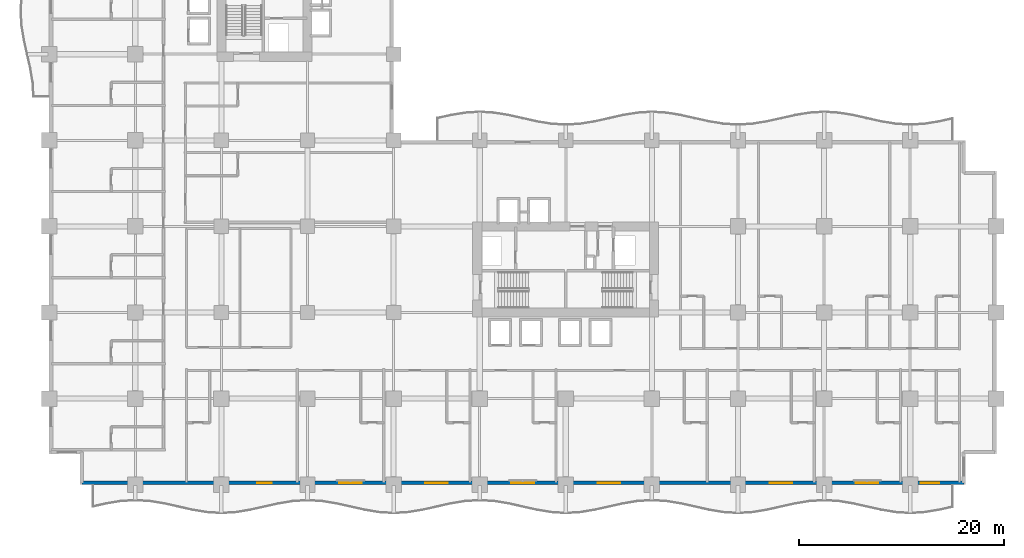
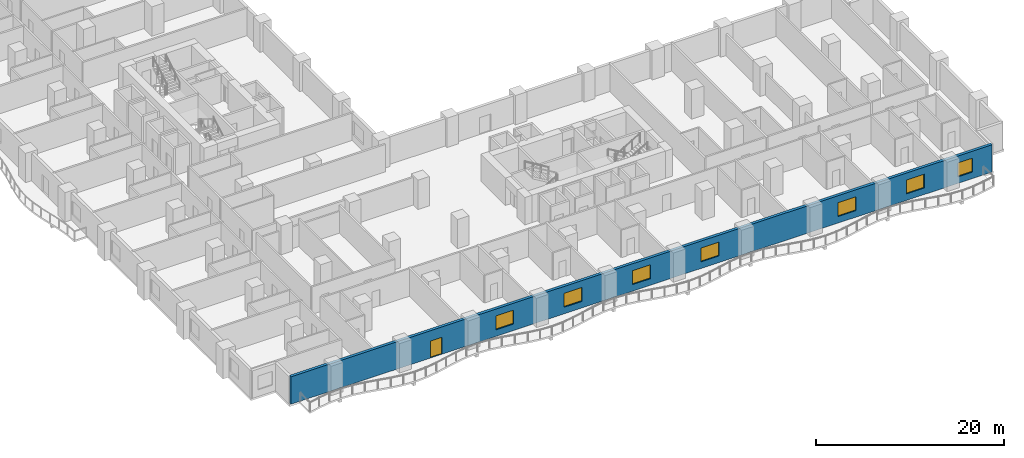
# One storey, part 8 of 23: 7 windows, 1 door, 1 wall, 8 openings.
"""IFC4 building model written with IfcOpenShell, lengths in metres."""

from ifc_helpers import new_model, si_unit, direction, frame, frame_2d, origin, place, context, subcontext, project, spatial, rectangle, extrude, material, layer, layer_set, type_object, element, fill, save


model = new_model("IFC4")

# Units and contexts
model_context = context("Model", 3, precision=1e-05, world=origin(), true_north=direction((0.0, 1.0)))
body_context = subcontext(model_context, "Body", "Model", "MODEL_VIEW")
ifc_project = project(units=[si_unit("LENGTHUNIT", "METRE"), si_unit("AREAUNIT", "SQUARE_METRE"), si_unit("VOLUMEUNIT", "CUBIC_METRE"), si_unit("PLANEANGLEUNIT", "RADIAN"), si_unit("MASSUNIT", "GRAM", prefix="KILO")], contexts=[model_context])

# Site, building, storey
site_placement = place(None, origin())
site = spatial("IfcSite", under=ifc_project, at=site_placement, CompositionType="ELEMENT")
building_placement = place(site_placement, origin())
building = spatial("IfcBuilding", under=site, at=building_placement, Name="Koriwani Terraces Tower", CompositionType="ELEMENT")
storey_placement = place(building_placement, frame((0.0, 0.0, 32.0)))
storey = spatial("IfcBuildingStorey", under=building, at=storey_placement, Name="L06", CompositionType="ELEMENT", Elevation=32.0)

# Wall, openings, door, windows
ifc_material_1 = material(Name="Concrete C50/60", Category="concrete")
ifc_layer = layer(ifc_material_1, 0.35009765625, Name="Concrete C50/60")
ifc_layer_set = layer_set([ifc_layer], Name="Concrete C50/60")
wall_type = type_object("IfcWallType", Name="WALL_EXT_BRUTALIST_350", PredefinedType="STANDARD", material=ifc_layer_set)
wall_placement = place(storey_placement, frame((89.22509765625, 0.175048828125, 0.0), z_axis=(0.0, 0.0, 1.0), x_axis=(-1.0, 0.0, 0.0)))
wall = element("IfcWall", 1, at=wall_placement, inside=storey, type_object=wall_type, Name="L06 Fair-Faced Brutalist Exterior Wall (S)", PredefinedType="STANDARD", context=body_context, shape_type="SweptSolid", body=[
    extrude(rectangle(XDim=86.050048828125, YDim=0.35009765625, at=frame_2d((43.02490234375, 0.0))), origin(), (0.0, 0.0, 1.0), 3.550048828125),
])
opening_1_placement = place(wall_placement, frame((67.52490234375, 0.0, 0.0)))
opening_1 = element("IfcOpeningElement", 2, at=opening_1_placement, cuts=wall, Name="Opening D-09", PredefinedType="OPENING", context=body_context, shape_type="SweptSolid", body=[
    extrude(rectangle(XDim=1.39990234375, YDim=2.199951171875, at=frame_2d((0.699951171875, 1.10009765625))), frame((0.0, 0.18505859375, 0.0), z_axis=(0.0, -1.0, 0.0), x_axis=(1.0, 0.0, 0.0)), (0.0, 0.0, 1.0), 0.3701171875),
])
opening_2_placement = place(wall_placement, frame((58.72509765625, 0.0, 0.85009765625)))
opening_2 = element("IfcOpeningElement", 3, at=opening_2_placement, cuts=wall, Name="Opening W-01", PredefinedType="OPENING", context=body_context, shape_type="SweptSolid", body=[
    extrude(rectangle(XDim=2.199951171875, YDim=1.800048828125, at=frame_2d((1.10009765625, 0.89990234375))), frame((0.0, 0.18505859375, 0.0), z_axis=(0.0, -1.0, 0.0), x_axis=(1.0, 0.0, 0.0)), (0.0, 0.0, 1.0), 0.3701171875),
])
opening_3_placement = place(wall_placement, frame((50.324951171875, 0.0, 0.85009765625)))
opening_3 = element("IfcOpeningElement", 4, at=opening_3_placement, cuts=wall, Name="Opening W-01", PredefinedType="OPENING", context=body_context, shape_type="SweptSolid", body=[
    extrude(rectangle(XDim=2.199951171875, YDim=1.800048828125, at=frame_2d((1.10009765625, 0.89990234375))), frame((0.0, 0.18505859375, 0.0), z_axis=(0.0, -1.0, 0.0), x_axis=(1.0, 0.0, 0.0)), (0.0, 0.0, 1.0), 0.3701171875),
])
opening_4_placement = place(wall_placement, frame((41.925048828125, 0.0, 0.85009765625)))
opening_4 = element("IfcOpeningElement", 5, at=opening_4_placement, cuts=wall, Name="Opening W-01", PredefinedType="OPENING", context=body_context, shape_type="SweptSolid", body=[
    extrude(rectangle(XDim=2.199951171875, YDim=1.800048828125, at=frame_2d((1.10009765625, 0.89990234375))), frame((0.0, 0.18505859375, 0.0), z_axis=(0.0, -1.0, 0.0), x_axis=(1.0, 0.0, 0.0)), (0.0, 0.0, 1.0), 0.3701171875),
])
opening_5_placement = place(wall_placement, frame((33.52490234375, 0.0, 0.85009765625)))
opening_5 = element("IfcOpeningElement", 6, at=opening_5_placement, cuts=wall, Name="Opening W-01", PredefinedType="OPENING", context=body_context, shape_type="SweptSolid", body=[
    extrude(rectangle(XDim=2.199951171875, YDim=1.800048828125, at=frame_2d((1.10009765625, 0.89990234375))), frame((0.0, 0.18505859375, 0.0), z_axis=(0.0, -1.0, 0.0), x_axis=(1.0, 0.0, 0.0)), (0.0, 0.0, 1.0), 0.3701171875),
])
opening_6_placement = place(wall_placement, frame((16.72509765625, 0.0, 0.85009765625)))
opening_6 = element("IfcOpeningElement", 7, at=opening_6_placement, cuts=wall, Name="Opening W-01", PredefinedType="OPENING", context=body_context, shape_type="SweptSolid", body=[
    extrude(rectangle(XDim=2.199951171875, YDim=1.800048828125, at=frame_2d((1.10009765625, 0.89990234375))), frame((0.0, 0.18505859375, 0.0), z_axis=(0.0, -1.0, 0.0), x_axis=(1.0, 0.0, 0.0)), (0.0, 0.0, 1.0), 0.3701171875),
])
opening_7_placement = place(wall_placement, frame((8.324951171875, 0.0, 0.85009765625)))
opening_7 = element("IfcOpeningElement", 8, at=opening_7_placement, cuts=wall, Name="Opening W-01", PredefinedType="OPENING", context=body_context, shape_type="SweptSolid", body=[
    extrude(rectangle(XDim=2.199951171875, YDim=1.800048828125, at=frame_2d((1.10009765625, 0.89990234375))), frame((0.0, 0.18505859375, 0.0), z_axis=(0.0, -1.0, 0.0), x_axis=(1.0, 0.0, 0.0)), (0.0, 0.0, 1.0), 0.3701171875),
])
opening_8_placement = place(wall_placement, frame((2.39990234375, 0.0, 0.85009765625)))
opening_8 = element("IfcOpeningElement", 9, at=opening_8_placement, cuts=wall, Name="Opening W-04", PredefinedType="OPENING", context=body_context, shape_type="SweptSolid", body=[
    extrude(rectangle(XDim=1.800048828125, YDim=1.800048828125, at=frame_2d((0.89990234375, 0.89990234375))), frame((0.0, 0.18505859375, 0.0), z_axis=(0.0, -1.0, 0.0), x_axis=(1.0, 0.0, 0.0)), (0.0, 0.0, 1.0), 0.3701171875),
])
ifc_material_2 = material(Name="Anodised Bronze Aluminium", Category="aluminium")
door_type = type_object("IfcDoorType", Name="DOOR_BALCONY_GLAZED_1400X2200", OperationType="NOTDEFINED", PredefinedType="DOOR", material=ifc_material_2)
door_placement = place(opening_1_placement, origin())
door = element("IfcDoor", 10, at=door_placement, inside=storey, type_object=door_type, Name="L06 South Balcony Glazed Door", OperationType="SINGLE_SWING_LEFT", OverallHeight=2.199951171875, OverallWidth=1.39990234375, PredefinedType="DOOR", context=body_context, shape_type="SweptSolid", body=[
    extrude(rectangle(XDim=1.39990234375, YDim=2.199951171875, at=frame_2d((0.699951171875, 1.10009765625))), frame((0.0, 0.02490234375, 0.0), z_axis=(0.0, -1.0, 0.0), x_axis=(1.0, 0.0, 0.0)), (0.0, 0.0, 1.0), 0.050048828125),
])
fill(opening_1, door)
ifc_material_3 = material(Name="Tempered Laminated Low-E Glass", Category="glass")
window_type_1 = type_object("IfcWindowType", Name="WIN_HOTEL_STD_2200X1800", PartitioningType="DOUBLE_PANEL_VERTICAL", PredefinedType="WINDOW", material=ifc_material_3)
window_1_placement = place(opening_2_placement, origin())
window_1 = element("IfcWindow", 11, at=window_1_placement, inside=storey, type_object=window_type_1, Name="L06 Exterior Window (S-9)", OverallHeight=1.800048828125, OverallWidth=2.199951171875, PartitioningType="SINGLE_PANEL", PredefinedType="WINDOW", context=body_context, shape_type="SweptSolid", body=[
    extrude(rectangle(XDim=2.199951171875, YDim=1.800048828125, at=frame_2d((1.10009765625, 0.89990234375))), frame((0.0, 0.030029296875, 0.0), z_axis=(0.0, -1.0, 0.0), x_axis=(1.0, 0.0, 0.0)), (0.0, 0.0, 1.0), 0.06005859375),
])
fill(opening_2, window_1)
window_2_placement = place(opening_3_placement, origin())
window_2 = element("IfcWindow", 12, at=window_2_placement, inside=storey, type_object=window_type_1, Name="L06 Exterior Window (S-12)", OverallHeight=1.800048828125, OverallWidth=2.199951171875, PartitioningType="SINGLE_PANEL", PredefinedType="WINDOW", context=body_context, shape_type="SweptSolid", body=[
    extrude(rectangle(XDim=2.199951171875, YDim=1.800048828125, at=frame_2d((1.10009765625, 0.89990234375))), frame((0.0, 0.030029296875, 0.0), z_axis=(0.0, -1.0, 0.0), x_axis=(1.0, 0.0, 0.0)), (0.0, 0.0, 1.0), 0.06005859375),
])
fill(opening_3, window_2)
window_3_placement = place(opening_4_placement, origin())
window_3 = element("IfcWindow", 13, at=window_3_placement, inside=storey, type_object=window_type_1, Name="L06 Exterior Window (S-15)", OverallHeight=1.800048828125, OverallWidth=2.199951171875, PartitioningType="SINGLE_PANEL", PredefinedType="WINDOW", context=body_context, shape_type="SweptSolid", body=[
    extrude(rectangle(XDim=2.199951171875, YDim=1.800048828125, at=frame_2d((1.10009765625, 0.89990234375))), frame((0.0, 0.030029296875, 0.0), z_axis=(0.0, -1.0, 0.0), x_axis=(1.0, 0.0, 0.0)), (0.0, 0.0, 1.0), 0.06005859375),
])
fill(opening_4, window_3)
window_4_placement = place(opening_5_placement, origin())
window_4 = element("IfcWindow", 14, at=window_4_placement, inside=storey, type_object=window_type_1, Name="L06 Exterior Window (S-18)", OverallHeight=1.800048828125, OverallWidth=2.199951171875, PartitioningType="SINGLE_PANEL", PredefinedType="WINDOW", context=body_context, shape_type="SweptSolid", body=[
    extrude(rectangle(XDim=2.199951171875, YDim=1.800048828125, at=frame_2d((1.10009765625, 0.89990234375))), frame((0.0, 0.030029296875, 0.0), z_axis=(0.0, -1.0, 0.0), x_axis=(1.0, 0.0, 0.0)), (0.0, 0.0, 1.0), 0.06005859375),
])
fill(opening_5, window_4)
window_5_placement = place(opening_6_placement, origin())
window_5 = element("IfcWindow", 15, at=window_5_placement, inside=storey, type_object=window_type_1, Name="L06 Exterior Window (S-24)", OverallHeight=1.800048828125, OverallWidth=2.199951171875, PartitioningType="SINGLE_PANEL", PredefinedType="WINDOW", context=body_context, shape_type="SweptSolid", body=[
    extrude(rectangle(XDim=2.199951171875, YDim=1.800048828125, at=frame_2d((1.10009765625, 0.89990234375))), frame((0.0, 0.030029296875, 0.0), z_axis=(0.0, -1.0, 0.0), x_axis=(1.0, 0.0, 0.0)), (0.0, 0.0, 1.0), 0.06005859375),
])
fill(opening_6, window_5)
window_6_placement = place(opening_7_placement, origin())
window_6 = element("IfcWindow", 16, at=window_6_placement, inside=storey, type_object=window_type_1, Name="L06 Exterior Window (S-27)", OverallHeight=1.800048828125, OverallWidth=2.199951171875, PartitioningType="SINGLE_PANEL", PredefinedType="WINDOW", context=body_context, shape_type="SweptSolid", body=[
    extrude(rectangle(XDim=2.199951171875, YDim=1.800048828125, at=frame_2d((1.10009765625, 0.89990234375))), frame((0.0, 0.030029296875, 0.0), z_axis=(0.0, -1.0, 0.0), x_axis=(1.0, 0.0, 0.0)), (0.0, 0.0, 1.0), 0.06005859375),
])
fill(opening_7, window_6)
window_type_2 = type_object("IfcWindowType", Name="WIN_RES_BED_1800X1800", PartitioningType="DOUBLE_PANEL_VERTICAL", PredefinedType="WINDOW", material=ifc_material_3)
window_7_placement = place(opening_8_placement, origin())
window_7 = element("IfcWindow", 17, at=window_7_placement, inside=storey, type_object=window_type_2, Name="L06 Exterior Window (S-R69)", OverallHeight=1.800048828125, OverallWidth=1.800048828125, PartitioningType="SINGLE_PANEL", PredefinedType="WINDOW", context=body_context, shape_type="SweptSolid", body=[
    extrude(rectangle(XDim=1.800048828125, YDim=1.800048828125, at=frame_2d((0.89990234375, 0.89990234375))), frame((0.0, 0.030029296875, 0.0), z_axis=(0.0, -1.0, 0.0), x_axis=(1.0, 0.0, 0.0)), (0.0, 0.0, 1.0), 0.06005859375),
])
fill(opening_8, window_7)

save(model, "model.ifc")
